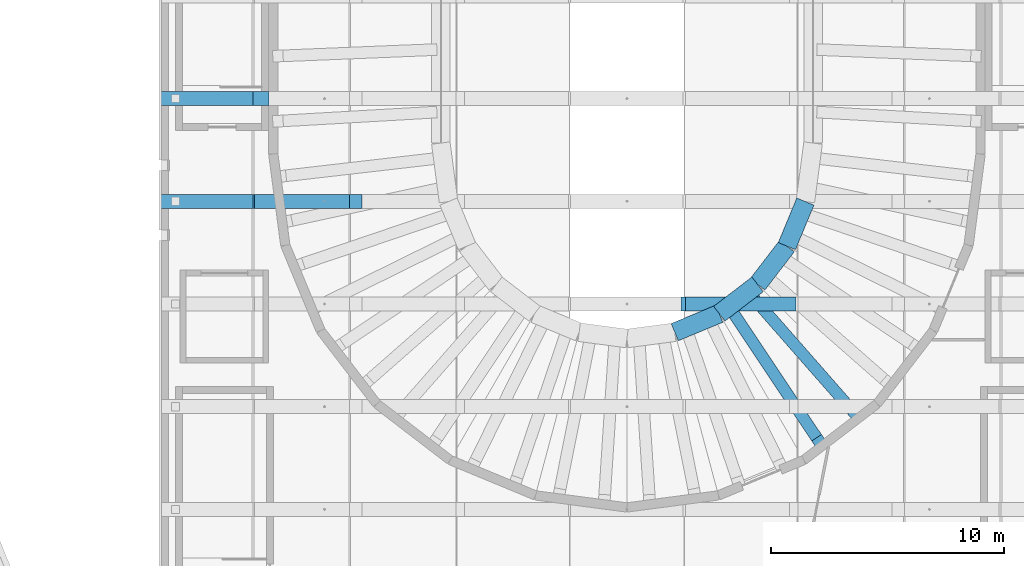
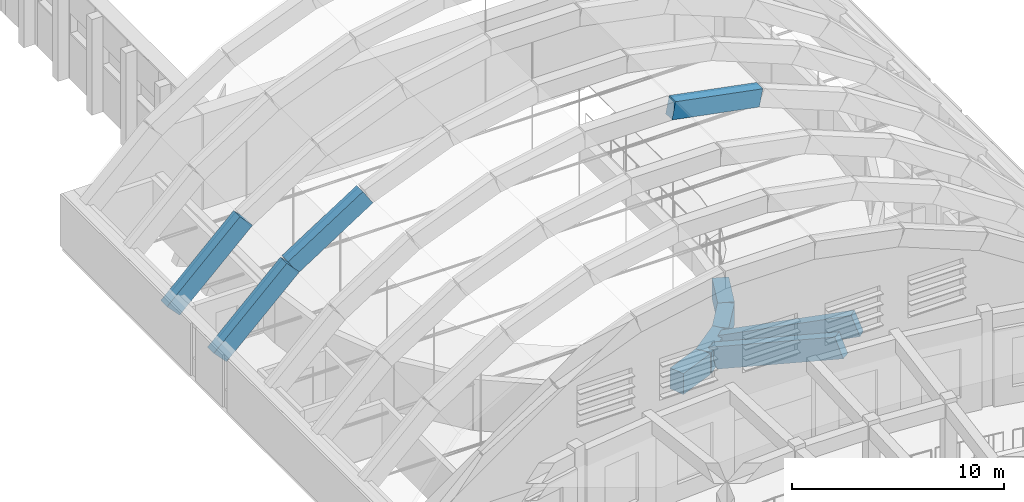
# One storey, part 22 of 94: 10 beams.
"""IFC4 building model written with IfcOpenShell, lengths in metres."""

from ifc_helpers import new_model, si_unit, direction, frame, origin, origin_2d, place, context, subcontext, project, spatial, rectangle, extrude, material, material_profile, profile_set, type_object, element, save


model = new_model("IFC4")

# Units and contexts
model_context = context("Model", 3, precision=1e-05, world=origin(), true_north=direction((0.0, 1.0)))
body_context = subcontext(model_context, "Body", "Model", "MODEL_VIEW")
ifc_project = project(units=[si_unit("LENGTHUNIT", "METRE"), si_unit("AREAUNIT", "SQUARE_METRE"), si_unit("VOLUMEUNIT", "CUBIC_METRE"), si_unit("PLANEANGLEUNIT", "RADIAN"), si_unit("MASSUNIT", "GRAM", prefix="KILO")], contexts=[model_context])

# Site, building, storey
site_placement = place(None, origin())
site = spatial("IfcSite", under=ifc_project, at=site_placement, CompositionType="ELEMENT")
building_placement = place(site_placement, origin())
building = spatial("IfcBuilding", under=site, at=building_placement, Name="Lunette Opera House", CompositionType="ELEMENT")
storey_placement = place(building_placement, frame((0.0, 0.0, 22.5)))
storey = spatial("IfcBuildingStorey", under=building, at=storey_placement, Name="L04", CompositionType="ELEMENT", Elevation=22.5)

# Beams
ifc_material_1 = material(Name="Concrete C40/50", Category="concrete")
ifc_material_profile_1 = material_profile(ifc_material_1, rectangle(XDim=0.60009765625, YDim=1.0, at=origin_2d()), Name="ARCH BEAM 600X1000")
ifc_profile_set_1 = profile_set([ifc_material_profile_1], Name="Concrete C40/50")
beam_type_1 = type_object("IfcBeamType", Name="ARCH BEAM 600X1000", PredefinedType="BEAM", material=ifc_profile_set_1)
beam_1_placement = place(storey_placement, frame((98.4189453125, 77.54296875, 11.262939453125), z_axis=(0.981908402453, 0.0, -0.189356513466), x_axis=(0.0, 1.0, 0.0)))
element("IfcBeam", 1, at=beam_1_placement, inside=storey, type_object=beam_type_1, Name="beam-AU-L04-EA4-6", PredefinedType="BEAM", context=body_context, shape_type="SweptSolid", body=[
    extrude(rectangle(XDim=0.60009765625, YDim=1.0, at=origin_2d()), origin(), (0.0, 0.0, 1.0), 4.83740234375),
])
beam_2_placement = place(storey_placement, frame((76.300048828125, 81.95703125, 2.14501953125), z_axis=(0.723596948656, 0.0, 0.69022275817), x_axis=(0.0, 1.0, 0.0)))
element("IfcBeam", 2, at=beam_2_placement, inside=storey, type_object=beam_type_1, Name="beam-AU-L04-EA5-1", PredefinedType="BEAM", context=body_context, shape_type="SweptSolid", body=[
    extrude(rectangle(XDim=0.60009765625, YDim=1.0, at=origin_2d()), origin(), (0.0, 0.0, 1.0), 5.486328125),
])
beam_3_placement = place(storey_placement, frame((80.27001953125, 81.95703125, 5.931884765625), z_axis=(0.84120306647, 0.0, 0.54071933659), x_axis=(0.0, 1.0, 0.0)))
element("IfcBeam", 3, at=beam_3_placement, inside=storey, type_object=beam_type_1, Name="beam-AU-L04-EA5-2", PredefinedType="BEAM", context=body_context, shape_type="SweptSolid", body=[
    extrude(rectangle(XDim=0.60009765625, YDim=1.0, at=origin_2d()), origin(), (0.0, 0.0, 1.0), 4.83837890625),
])
beam_4_placement = place(storey_placement, frame((76.300048828125, 86.37109375, 2.14501953125), z_axis=(0.723596948656, 0.0, 0.69022275817), x_axis=(0.0, 1.0, 0.0)))
element("IfcBeam", 4, at=beam_4_placement, inside=storey, type_object=beam_type_1, Name="beam-AU-L04-EA6-1", PredefinedType="BEAM", context=body_context, shape_type="SweptSolid", body=[
    extrude(rectangle(XDim=0.60009765625, YDim=1.0, at=origin_2d()), origin(), (0.0, 0.0, 1.0), 5.486328125),
])
ifc_material_2 = material(Name="Concrete C35/45", Category="concrete")
ifc_material_profile_2 = material_profile(ifc_material_2, rectangle(XDim=0.5, YDim=1.199951171875, at=origin_2d()), Name="RAKER BEAM 500X1200")
ifc_profile_set_2 = profile_set([ifc_material_profile_2], Name="Concrete C35/45")
beam_type_2 = type_object("IfcBeamType", Name="RAKER BEAM 500X1200", PredefinedType="BEAM", material=ifc_profile_set_2)
beam_5_placement = place(storey_placement, frame((104.277099609375, 71.60595703125, -0.845947265625), z_axis=(-0.515813745818, 0.772351504603, -0.370687648786), x_axis=(-0.831596436152, -0.555380380802, 0.0)))
element("IfcBeam", 5, at=beam_5_placement, inside=storey, type_object=beam_type_2, Name="beam-AU-L04-RKT3-10-1", PredefinedType="BEAM", context=body_context, shape_type="SweptSolid", body=[
    extrude(rectangle(XDim=0.5, YDim=1.199951171875, at=origin_2d()), origin(), (0.0, 0.0, 1.0), 7.1328125),
])
beam_6_placement = place(storey_placement, frame((105.830078125, 72.797119140625, -0.845947265625), z_axis=(-0.61257418288, 0.698060792312, -0.370761379739), x_axis=(-0.751630908495, -0.659583942645, 0.0)))
element("IfcBeam", 6, at=beam_6_placement, inside=storey, type_object=beam_type_2, Name="beam-AU-L04-RKT3-10-2", PredefinedType="BEAM", context=body_context, shape_type="SweptSolid", body=[
    extrude(rectangle(XDim=0.5, YDim=1.199951171875, at=origin_2d()), origin(), (0.0, 0.0, 1.0), 7.134033203125),
])
ifc_material_3 = material(Name="Concrete C40/50", Category="concrete")
ifc_material_profile_3 = material_profile(ifc_material_3, rectangle(XDim=0.800048828125, YDim=1.199951171875, at=origin_2d()), Name="TIER GIRDER 800X1200")
ifc_profile_set_3 = profile_set([ifc_material_profile_3], Name="Concrete C40/50")
beam_type_3 = type_object("IfcBeamType", Name="TIER GIRDER 800X1200", PredefinedType="BEAM", material=ifc_profile_set_3)
beam_7_placement = place(storey_placement, frame((98.054931640625, 76.3310546875, -3.60009765625), z_axis=(0.92392496741, 0.382573724394, 0.0), x_axis=(-0.382573724394, 0.92392496741, 0.0)))
element("IfcBeam", 7, at=beam_7_placement, inside=storey, type_object=beam_type_3, Name="beam-AU-L04-TGL04-9", PredefinedType="BEAM", context=body_context, shape_type="SweptSolid", body=[
    extrude(rectangle(XDim=0.800048828125, YDim=1.199951171875, at=origin_2d()), origin(), (0.0, 0.0, 1.0), 2.07275390625),
])
for number, where, z_axis, x_axis, name in (
    (8, (99.969970703125, 77.1240234375, -3.60009765625), (0.793249781929, 0.608896365131, 0.0), (-0.608896365131, 0.793249781929, 0.0), "beam-AU-L04-TGL04-10"),
    (9, (101.614013671875, 78.385986328125, -3.60009765625), (0.608896365131, 0.793249781929, 0.0), (-0.793249781929, 0.608896365131, 0.0), "beam-AU-L04-TGL04-11"),
):
    element("IfcBeam", number, at=place(storey_placement, frame(where, z_axis=z_axis, x_axis=x_axis)), inside=storey, type_object=beam_type_3, Name=name, PredefinedType="BEAM", context=body_context, shape_type="SweptSolid", body=[
        extrude(rectangle(XDim=0.800048828125, YDim=1.199951171875, at=origin_2d()), origin(), (0.0, 0.0, 1.0), 2.072509765625),
    ])
beam_8_placement = place(storey_placement, frame((102.8759765625, 80.030029296875, -3.60009765625), z_axis=(0.382573724394, 0.92392496741, 0.0), x_axis=(-0.92392496741, 0.382573724394, 0.0)))
element("IfcBeam", 10, at=beam_8_placement, inside=storey, type_object=beam_type_3, Name="beam-AU-L04-TGL04-12", PredefinedType="BEAM", context=body_context, shape_type="SweptSolid", body=[
    extrude(rectangle(XDim=0.800048828125, YDim=1.199951171875, at=origin_2d()), origin(), (0.0, 0.0, 1.0), 2.07275390625),
])

save(model, "model.ifc")
